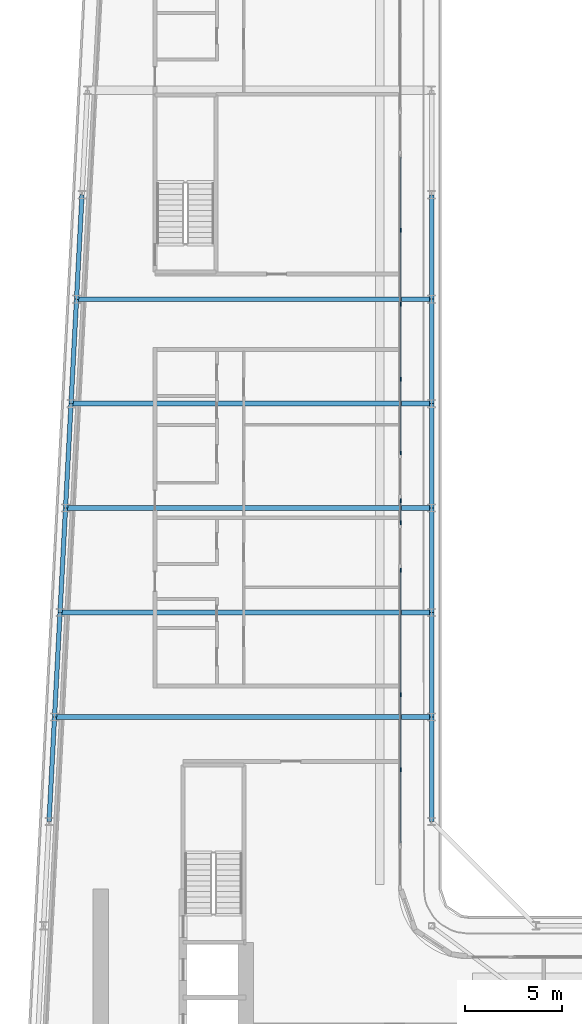
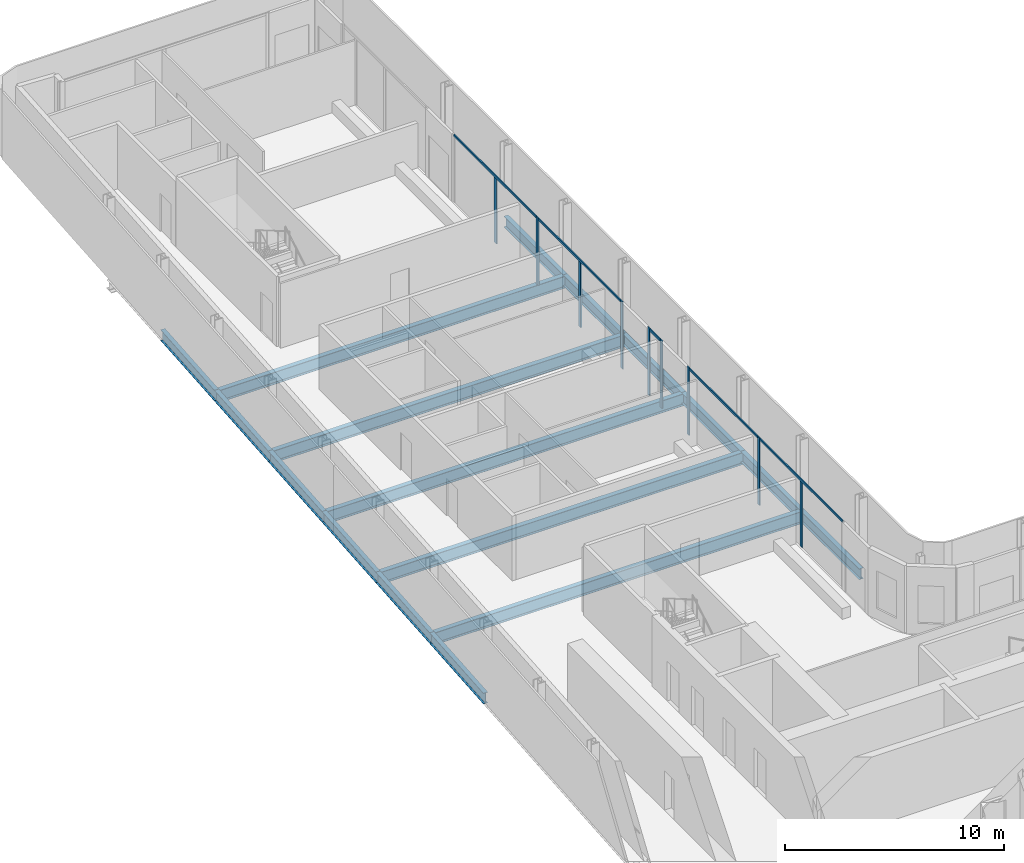
# One storey, part 9 of 30: 17 beams, 14 members, 5 elements without a shape of their own.
"""IFC4 building model written with IfcOpenShell, lengths in metres."""

from ifc_helpers import new_model, si_unit, direction, frame, origin, origin_2d, place, context, subcontext, project, spatial, rectangle, i_section, extrude, material, layer, layer_set, material_profile, profile_set, type_object, element, aggregate, save


model = new_model("IFC4")

# Units and contexts
model_context = context("Model", 3, precision=1e-05, world=origin(), true_north=direction((0.0, 1.0)))
body_context = subcontext(model_context, "Body", "Model", "MODEL_VIEW")
ifc_project = project(units=[si_unit("LENGTHUNIT", "METRE"), si_unit("AREAUNIT", "SQUARE_METRE"), si_unit("VOLUMEUNIT", "CUBIC_METRE"), si_unit("PLANEANGLEUNIT", "RADIAN"), si_unit("MASSUNIT", "GRAM", prefix="KILO")], contexts=[model_context])

# Site, building, storey
site_placement = place(None, origin())
site = spatial("IfcSite", under=ifc_project, at=site_placement, CompositionType="ELEMENT")
building_placement = place(site_placement, origin())
building = spatial("IfcBuilding", under=site, at=building_placement, Name="Kheshtan School and Residences Tower", CompositionType="ELEMENT")
storey_placement = place(building_placement, frame((0.0, 0.0, 195.5)))
storey = spatial("IfcBuildingStorey", under=building, at=storey_placement, Name="L46", CompositionType="ELEMENT", Elevation=195.5)

# Beams
ifc_material_1 = material(Name="Steel ASTM A992 Grade 50", Category="steel")
ifc_material_profile_1 = material_profile(ifc_material_1, i_section(OverallWidth=0.2529296875, OverallDepth=0.677978515625, WebThickness=0.01171875, FlangeThickness=0.016357421875, FilletRadius=0.0146484375, at=origin_2d()), Name="W690x125")
ifc_profile_set_1 = profile_set([ifc_material_profile_1], Name="Steel ASTM A992 Grade 50")
beam_type_1 = type_object("IfcBeamType", Name="Beam FB6 W690x125 ASTM A992 Grade 50", PredefinedType="BEAM", material=ifc_profile_set_1)
beam_1_placement = place(storey_placement, frame((47.60009765625, 78.0, -0.489013671875), z_axis=(-1.0, 0.0, 0.0), x_axis=(0.0, -1.0, 0.0)))
element("IfcBeam", 1, at=beam_1_placement, inside=storey, type_object=beam_type_1, Name="Floor beam C089", PredefinedType="BEAM", context=body_context, shape_type="SweptSolid", body=[
    extrude(i_section(OverallWidth=0.2529296875, OverallDepth=0.677978515625, WebThickness=0.01171875, FlangeThickness=0.016357421875, FilletRadius=0.0146484375, at=origin_2d()), origin(), (0.0, 0.0, 1.0), 18.357177734375),
])
beam_2_placement = place(storey_placement, frame((47.60009765625, 67.199951171875, -0.489013671875), z_axis=(-1.0, 0.0, 0.0), x_axis=(0.0, -1.0, 0.0)))
element("IfcBeam", 2, at=beam_2_placement, inside=storey, type_object=beam_type_1, Name="Floor beam C085", PredefinedType="BEAM", context=body_context, shape_type="SweptSolid", body=[
    extrude(i_section(OverallWidth=0.2529296875, OverallDepth=0.677978515625, WebThickness=0.01171875, FlangeThickness=0.016357421875, FilletRadius=0.0146484375, at=origin_2d()), origin(), (0.0, 0.0, 1.0), 18.926025390625),
])
beam_3_placement = place(storey_placement, frame((47.60009765625, 56.39990234375, -0.489013671875), z_axis=(-1.0, 0.0, 0.0), x_axis=(0.0, -1.0, 0.0)))
element("IfcBeam", 3, at=beam_3_placement, inside=storey, type_object=beam_type_1, Name="Floor beam C081", PredefinedType="BEAM", context=body_context, shape_type="SweptSolid", body=[
    extrude(i_section(OverallWidth=0.2529296875, OverallDepth=0.677978515625, WebThickness=0.01171875, FlangeThickness=0.016357421875, FilletRadius=0.0146484375, at=origin_2d()), origin(), (0.0, 0.0, 1.0), 19.494140625),
])
beam_4_placement = place(storey_placement, frame((28.389892578125, 61.800048828125, -0.489013671875), z_axis=(1.0, 0.0, 0.0), x_axis=(0.0, 1.0, 0.0)))
element("IfcBeam", 4, at=beam_4_placement, inside=storey, type_object=beam_type_1, Name="Floor beam C082", PredefinedType="BEAM", context=body_context, shape_type="SweptSolid", body=[
    extrude(i_section(OverallWidth=0.2529296875, OverallDepth=0.677978515625, WebThickness=0.01171875, FlangeThickness=0.016357421875, FilletRadius=0.0146484375, at=origin_2d()), origin(), (0.0, 0.0, 1.0), 19.210205078125),
])
beam_5_placement = place(storey_placement, frame((28.9580078125, 72.60009765625, -0.489013671875), z_axis=(1.0, 0.0, 0.0), x_axis=(0.0, 1.0, 0.0)))
element("IfcBeam", 5, at=beam_5_placement, inside=storey, type_object=beam_type_1, Name="Floor beam C086", PredefinedType="BEAM", context=body_context, shape_type="SweptSolid", body=[
    extrude(i_section(OverallWidth=0.2529296875, OverallDepth=0.677978515625, WebThickness=0.01171875, FlangeThickness=0.016357421875, FilletRadius=0.0146484375, at=origin_2d()), origin(), (0.0, 0.0, 1.0), 18.64208984375),
])
ifc_material_profile_2 = material_profile(ifc_material_1, i_section(OverallWidth=0.22802734375, OverallDepth=0.60302734375, WebThickness=0.010498046875, FlangeThickness=0.014892578125, FilletRadius=0.013427734375, at=origin_2d()), Name="W610x101")
ifc_profile_set_2 = profile_set([ifc_material_profile_2], Name="Steel ASTM A992 Grade 50")
beam_type_2 = type_object("IfcBeamType", Name="Beam SP2 W610x101 ASTM A992 Grade 50", PredefinedType="BEAM", material=ifc_profile_set_2)
for number, where, z_axis, x_axis, name in (
    (6, (47.60009765625, 83.39990234375, -0.451416015625), (0.0, -1.0, 0.0), (1.0, 0.0, 0.0), "Spandrel beam C091-C089"),
    (7, (47.60009765625, 78.0, -0.451416015625), (0.0, -1.0, 0.0), (1.0, 0.0, 0.0), "Spandrel beam C089-C087"),
):
    element("IfcBeam", number, at=place(storey_placement, frame(where, z_axis=z_axis, x_axis=x_axis)), inside=storey, type_object=beam_type_2, Name=name, PredefinedType="BEAM", context=body_context, shape_type="SweptSolid", body=[
        extrude(i_section(OverallWidth=0.22802734375, OverallDepth=0.60302734375, WebThickness=0.010498046875, FlangeThickness=0.014892578125, FilletRadius=0.013427734375, at=origin_2d()), origin(), (0.0, 0.0, 1.0), 5.39990234375),
    ])
beam_6_placement = place(storey_placement, frame((47.60009765625, 72.60009765625, -0.451416015625), z_axis=(0.0, -1.0, 0.0), x_axis=(1.0, 0.0, 0.0)))
element("IfcBeam", 8, at=beam_6_placement, inside=storey, type_object=beam_type_2, Name="Spandrel beam C087-C085", PredefinedType="BEAM", context=body_context, shape_type="SweptSolid", body=[
    extrude(i_section(OverallWidth=0.22802734375, OverallDepth=0.60302734375, WebThickness=0.010498046875, FlangeThickness=0.014892578125, FilletRadius=0.013427734375, at=origin_2d()), origin(), (0.0, 0.0, 1.0), 5.400146484375),
])
beam_7_placement = place(storey_placement, frame((47.60009765625, 67.199951171875, -0.451416015625), z_axis=(0.0, -1.0, 0.0), x_axis=(1.0, 0.0, 0.0)))
element("IfcBeam", 9, at=beam_7_placement, inside=storey, type_object=beam_type_2, Name="Spandrel beam C085-C083", PredefinedType="BEAM", context=body_context, shape_type="SweptSolid", body=[
    extrude(i_section(OverallWidth=0.22802734375, OverallDepth=0.60302734375, WebThickness=0.010498046875, FlangeThickness=0.014892578125, FilletRadius=0.013427734375, at=origin_2d()), origin(), (0.0, 0.0, 1.0), 5.39990234375),
])
beam_8_placement = place(storey_placement, frame((47.60009765625, 61.800048828125, -0.451416015625), z_axis=(0.0, -1.0, 0.0), x_axis=(1.0, 0.0, 0.0)))
element("IfcBeam", 10, at=beam_8_placement, inside=storey, type_object=beam_type_2, Name="Spandrel beam C083-C081", PredefinedType="BEAM", context=body_context, shape_type="SweptSolid", body=[
    extrude(i_section(OverallWidth=0.22802734375, OverallDepth=0.60302734375, WebThickness=0.010498046875, FlangeThickness=0.014892578125, FilletRadius=0.013427734375, at=origin_2d()), origin(), (0.0, 0.0, 1.0), 5.400146484375),
])
beam_9_placement = place(storey_placement, frame((47.60009765625, 56.39990234375, -0.451416015625), z_axis=(0.0, -1.0, 0.0), x_axis=(1.0, 0.0, 0.0)))
element("IfcBeam", 11, at=beam_9_placement, inside=storey, type_object=beam_type_2, Name="Spandrel beam C081-C079", PredefinedType="BEAM", context=body_context, shape_type="SweptSolid", body=[
    extrude(i_section(OverallWidth=0.22802734375, OverallDepth=0.60302734375, WebThickness=0.010498046875, FlangeThickness=0.014892578125, FilletRadius=0.013427734375, at=origin_2d()), origin(), (0.0, 0.0, 1.0), 5.39990234375),
])
beam_10_placement = place(storey_placement, frame((27.822021484375, 51.0, -0.451416015625), z_axis=(0.05250906864, 0.998620447272, 0.0), x_axis=(-0.998620447272, 0.05250906864, 0.0)))
element("IfcBeam", 12, at=beam_10_placement, inside=storey, type_object=beam_type_2, Name="Spandrel beam C078-C080", PredefinedType="BEAM", context=body_context, shape_type="SweptSolid", body=[
    extrude(i_section(OverallWidth=0.22802734375, OverallDepth=0.60302734375, WebThickness=0.010498046875, FlangeThickness=0.014892578125, FilletRadius=0.013427734375, at=origin_2d()), origin(), (0.0, 0.0, 1.0), 5.407470703125),
])
beam_11_placement = place(storey_placement, frame((28.10595703125, 56.39990234375, -0.451416015625), z_axis=(0.05250670125, 0.998620571751, 0.0), x_axis=(-0.998620571751, 0.05250670125, 0.0)))
element("IfcBeam", 13, at=beam_11_placement, inside=storey, type_object=beam_type_2, Name="Spandrel beam C080-C082", PredefinedType="BEAM", context=body_context, shape_type="SweptSolid", body=[
    extrude(i_section(OverallWidth=0.22802734375, OverallDepth=0.60302734375, WebThickness=0.010498046875, FlangeThickness=0.014892578125, FilletRadius=0.013427734375, at=origin_2d()), origin(), (0.0, 0.0, 1.0), 5.40771484375),
])
beam_12_placement = place(storey_placement, frame((28.389892578125, 61.800048828125, -0.451416015625), z_axis=(0.052554093665, 0.998618078766, 0.0), x_axis=(-0.998618078766, 0.052554093665, 0.0)))
element("IfcBeam", 14, at=beam_12_placement, inside=storey, type_object=beam_type_2, Name="Spandrel beam C082-C084", PredefinedType="BEAM", context=body_context, shape_type="SweptSolid", body=[
    extrude(i_section(OverallWidth=0.22802734375, OverallDepth=0.60302734375, WebThickness=0.010498046875, FlangeThickness=0.014892578125, FilletRadius=0.013427734375, at=origin_2d()), origin(), (0.0, 0.0, 1.0), 5.407470703125),
])
beam_13_placement = place(storey_placement, frame((28.674072265625, 67.199951171875, -0.451416015625), z_axis=(0.05250670125, 0.998620571751, 0.0), x_axis=(-0.998620571751, 0.05250670125, 0.0)))
element("IfcBeam", 15, at=beam_13_placement, inside=storey, type_object=beam_type_2, Name="Spandrel beam C084-C086", PredefinedType="BEAM", context=body_context, shape_type="SweptSolid", body=[
    extrude(i_section(OverallWidth=0.22802734375, OverallDepth=0.60302734375, WebThickness=0.010498046875, FlangeThickness=0.014892578125, FilletRadius=0.013427734375, at=origin_2d()), origin(), (0.0, 0.0, 1.0), 5.40771484375),
])
for number, where, z_axis, x_axis, name in (
    (16, (28.9580078125, 72.60009765625, -0.451416015625), (0.052689166816, 0.998610961136, 0.0), (-0.998610961136, 0.052689166816, 0.0), "Spandrel beam C086-C088"),
    (17, (29.242919921875, 78.0, -0.451416015625), (0.052554093665, 0.998618078766, 0.0), (-0.998618078766, 0.052554093665, 0.0), "Spandrel beam C088-C090"),
):
    element("IfcBeam", number, at=place(storey_placement, frame(where, z_axis=z_axis, x_axis=x_axis)), inside=storey, type_object=beam_type_2, Name=name, PredefinedType="BEAM", context=body_context, shape_type="SweptSolid", body=[
        extrude(i_section(OverallWidth=0.22802734375, OverallDepth=0.60302734375, WebThickness=0.010498046875, FlangeThickness=0.014892578125, FilletRadius=0.013427734375, at=origin_2d()), origin(), (0.0, 0.0, 1.0), 5.407470703125),
    ])

# Curtain wall, members
ifc_material_2 = material(Name="Clear low-e glass in thermally broken aluminium frame", Category="aluminium")
ifc_layer = layer(ifc_material_2, 0.199951171875)
ifc_layer_set = layer_set([ifc_layer], Name="Curtain wall CW-L")
curtain_wall_type = type_object("IfcCurtainWallType", Name="Curtain wall CW-L", PredefinedType="NOTDEFINED", material=ifc_layer_set)
curtain_wall_1_placement = place(storey_placement, origin())
curtain_wall_1 = element("IfcCurtainWall", 18, at=curtain_wall_1_placement, inside=storey, type_object=curtain_wall_type, Name="Curtain wall CWL8", PredefinedType="NOTDEFINED")
ifc_material_3 = material(Name="Thermally broken aluminium, dark bronze anodised", Category="aluminium")
ifc_material_profile_3 = material_profile(ifc_material_3, rectangle(XDim=0.06005859375, YDim=0.199951171875, at=origin_2d()), Name="CW-L mullion 60x200")
ifc_profile_set_3 = profile_set([ifc_material_profile_3], Name="Thermally broken aluminium, dark bronze anodised")
member_type_1 = type_object("IfcMemberType", Name="CW-L mullion 60x200", PredefinedType="MULLION", material=ifc_profile_set_3)
member_1_placement = place(storey_placement, frame((46.0, 81.55908203125, 0.0), z_axis=(0.0, 0.0, 1.0), x_axis=(1.0, 0.0, 0.0)))
member_1 = element("IfcMember", 19, at=member_1_placement, type_object=member_type_1, Name="CWL8 mullion 2", PredefinedType="MULLION", context=body_context, shape_type="SweptSolid", body=[
    extrude(rectangle(XDim=0.06005859375, YDim=0.199951171875, at=origin_2d()), origin(), (0.0, 0.0, 1.0), 3.6298828125),
])
member_2_placement = place(storey_placement, frame((46.0, 77.741943359375, 0.0), z_axis=(0.0, 0.0, 1.0), x_axis=(1.0, 0.0, 0.0)))
member_2 = element("IfcMember", 20, at=member_2_placement, type_object=member_type_1, Name="CWL8 mullion 3", PredefinedType="MULLION", context=body_context, shape_type="SweptSolid", body=[
    extrude(rectangle(XDim=0.06005859375, YDim=0.199951171875, at=origin_2d()), origin(), (0.0, 0.0, 1.0), 3.75),
])

curtain_wall_2_placement = place(storey_placement, origin())
curtain_wall_2 = element("IfcCurtainWall", 21, at=curtain_wall_2_placement, inside=storey, type_object=curtain_wall_type, Name="Curtain wall CWL8", PredefinedType="NOTDEFINED")
member_3_placement = place(storey_placement, frame((46.0, 73.864990234375, 0.0), z_axis=(0.0, 0.0, 1.0), x_axis=(1.0, 0.0, 0.0)))
member_3 = element("IfcMember", 22, at=member_3_placement, type_object=member_type_1, Name="CWL8 mullion 2", PredefinedType="MULLION", context=body_context, shape_type="SweptSolid", body=[
    extrude(rectangle(XDim=0.06005859375, YDim=0.199951171875, at=origin_2d()), origin(), (0.0, 0.0, 1.0), 3.6298828125),
])
member_4_placement = place(storey_placement, frame((46.0, 70.048095703125, 0.0), z_axis=(0.0, 0.0, 1.0), x_axis=(1.0, 0.0, 0.0)))
member_4 = element("IfcMember", 23, at=member_4_placement, type_object=member_type_1, Name="CWL8 mullion 3", PredefinedType="MULLION", context=body_context, shape_type="SweptSolid", body=[
    extrude(rectangle(XDim=0.06005859375, YDim=0.199951171875, at=origin_2d()), origin(), (0.0, 0.0, 1.0), 3.75),
])

curtain_wall_3_placement = place(storey_placement, origin())
curtain_wall_3 = element("IfcCurtainWall", 24, at=curtain_wall_3_placement, inside=storey, type_object=curtain_wall_type, Name="Curtain wall CWL8g", PredefinedType="NOTDEFINED")
member_5_placement = place(storey_placement, frame((46.0, 67.587890625, 0.0), z_axis=(0.0, 0.0, 1.0), x_axis=(1.0, 0.0, 0.0)))
member_5 = element("IfcMember", 25, at=member_5_placement, type_object=member_type_1, Name="CWL8g mullion 1", PredefinedType="MULLION", context=body_context, shape_type="SweptSolid", body=[
    extrude(rectangle(XDim=0.06005859375, YDim=0.199951171875, at=origin_2d()), origin(), (0.0, 0.0, 1.0), 3.75),
])
member_6_placement = place(storey_placement, frame((46.0, 66.447998046875, 0.0), z_axis=(0.0, 0.0, 1.0), x_axis=(1.0, 0.0, 0.0)))
member_6 = element("IfcMember", 26, at=member_6_placement, type_object=member_type_1, Name="CWL8g mullion 2", PredefinedType="MULLION", context=body_context, shape_type="SweptSolid", body=[
    extrude(rectangle(XDim=0.06005859375, YDim=0.199951171875, at=origin_2d()), origin(), (0.0, 0.0, 1.0), 3.75),
])

curtain_wall_4_placement = place(storey_placement, origin())
curtain_wall_4 = element("IfcCurtainWall", 27, at=curtain_wall_4_placement, inside=storey, type_object=curtain_wall_type, Name="Curtain wall CWL8h", PredefinedType="NOTDEFINED")
member_7_placement = place(storey_placement, frame((46.0, 63.988037109375, 0.0), z_axis=(0.0, 0.0, 1.0), x_axis=(1.0, 0.0, 0.0)))
member_7 = element("IfcMember", 28, at=member_7_placement, type_object=member_type_1, Name="CWL8h mullion 1", PredefinedType="MULLION", context=body_context, shape_type="SweptSolid", body=[
    extrude(rectangle(XDim=0.06005859375, YDim=0.199951171875, at=origin_2d()), origin(), (0.0, 0.0, 1.0), 3.75),
])
member_8_placement = place(storey_placement, frame((46.0, 57.553955078125, 0.0), z_axis=(0.0, 0.0, 1.0), x_axis=(1.0, 0.0, 0.0)))
member_8 = element("IfcMember", 29, at=member_8_placement, type_object=member_type_1, Name="CWL8h mullion 2", PredefinedType="MULLION", context=body_context, shape_type="SweptSolid", body=[
    extrude(rectangle(XDim=0.06005859375, YDim=0.199951171875, at=origin_2d()), origin(), (0.0, 0.0, 1.0), 3.75),
])

# Curtain wall, member
curtain_wall_5_placement = place(storey_placement, origin())
curtain_wall_5 = element("IfcCurtainWall", 30, at=curtain_wall_5_placement, inside=storey, type_object=curtain_wall_type, Name="Curtain wall CWL8", PredefinedType="NOTDEFINED")
member_9_placement = place(storey_placement, frame((46.0, 53.677001953125, 0.0), z_axis=(0.0, 0.0, 1.0), x_axis=(1.0, 0.0, 0.0)))
member_9 = element("IfcMember", 31, at=member_9_placement, type_object=member_type_1, Name="CWL8 mullion 2", PredefinedType="MULLION", context=body_context, shape_type="SweptSolid", body=[
    extrude(rectangle(XDim=0.06005859375, YDim=0.199951171875, at=origin_2d()), origin(), (0.0, 0.0, 1.0), 3.6298828125),
])

# Member
ifc_material_profile_4 = material_profile(ifc_material_3, rectangle(XDim=0.06005859375, YDim=0.1201171875, at=origin_2d()), Name="CW-L transom 60x120")
ifc_profile_set_4 = profile_set([ifc_material_profile_4], Name="Thermally broken aluminium, dark bronze anodised")
member_type_2 = type_object("IfcMemberType", Name="CW-L transom 60x120", PredefinedType="USERDEFINED", material=ifc_profile_set_4)
member_10_placement = place(storey_placement, frame((46.0, 85.345947265625, 3.68994140625), z_axis=(0.0, -1.0, 0.0), x_axis=(1.0, 0.0, 0.0)))
member_10 = element("IfcMember", 32, at=member_10_placement, type_object=member_type_2, Name="CWL8 transom 1", ObjectType="TRANSOM", PredefinedType="USERDEFINED", context=body_context, shape_type="SweptSolid", body=[
    extrude(rectangle(XDim=0.06005859375, YDim=0.1201171875, at=origin_2d()), origin(), (0.0, 0.0, 1.0), 7.573974609375),
])

aggregate(curtain_wall_1, [member_1, member_2, member_10])

member_11_placement = place(storey_placement, frame((46.0, 77.7119140625, 3.68994140625), z_axis=(0.0, -1.0, 0.0), x_axis=(1.0, 0.0, 0.0)))
member_11 = element("IfcMember", 33, at=member_11_placement, type_object=member_type_2, Name="CWL8 transom 1", ObjectType="TRANSOM", PredefinedType="USERDEFINED", context=body_context, shape_type="SweptSolid", body=[
    extrude(rectangle(XDim=0.06005859375, YDim=0.1201171875, at=origin_2d()), origin(), (0.0, 0.0, 1.0), 7.634033203125),
])

aggregate(curtain_wall_2, [member_3, member_4, member_11])

member_12_placement = place(storey_placement, frame((46.0, 67.55810546875, 3.68994140625), z_axis=(0.0, -1.0, 0.0), x_axis=(1.0, 0.0, 0.0)))
member_12 = element("IfcMember", 34, at=member_12_placement, type_object=member_type_2, Name="CWL8g transom 1", ObjectType="TRANSOM", PredefinedType="USERDEFINED", context=body_context, shape_type="SweptSolid", body=[
    extrude(rectangle(XDim=0.06005859375, YDim=0.1201171875, at=origin_2d()), origin(), (0.0, 0.0, 1.0), 1.080078125),
])

aggregate(curtain_wall_3, [member_5, member_6, member_12])

member_13_placement = place(storey_placement, frame((46.0, 63.9580078125, 3.68994140625), z_axis=(0.0, -1.0, 0.0), x_axis=(1.0, 0.0, 0.0)))
member_13 = element("IfcMember", 35, at=member_13_placement, type_object=member_type_2, Name="CWL8h transom 1", ObjectType="TRANSOM", PredefinedType="USERDEFINED", context=body_context, shape_type="SweptSolid", body=[
    extrude(rectangle(XDim=0.06005859375, YDim=0.1201171875, at=origin_2d()), origin(), (0.0, 0.0, 1.0), 6.3740234375),
])

aggregate(curtain_wall_4, [member_7, member_8, member_13])

member_14_placement = place(storey_placement, frame((46.0, 57.52392578125, 3.68994140625), z_axis=(0.0, -1.0, 0.0), x_axis=(1.0, 0.0, 0.0)))
member_14 = element("IfcMember", 36, at=member_14_placement, type_object=member_type_2, Name="CWL8 transom 1", ObjectType="TRANSOM", PredefinedType="USERDEFINED", context=body_context, shape_type="SweptSolid", body=[
    extrude(rectangle(XDim=0.06005859375, YDim=0.1201171875, at=origin_2d()), origin(), (0.0, 0.0, 1.0), 7.634033203125),
])

aggregate(curtain_wall_5, [member_9, member_14])

save(model, "model.ifc")
